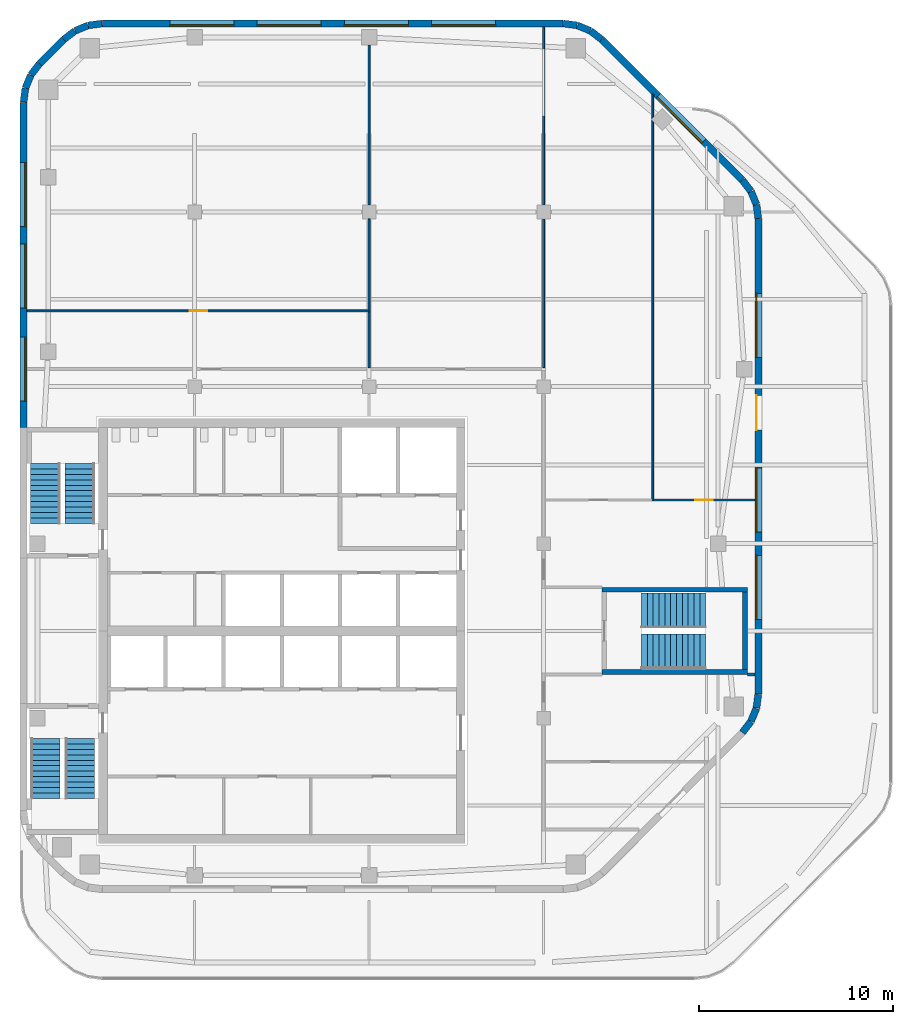
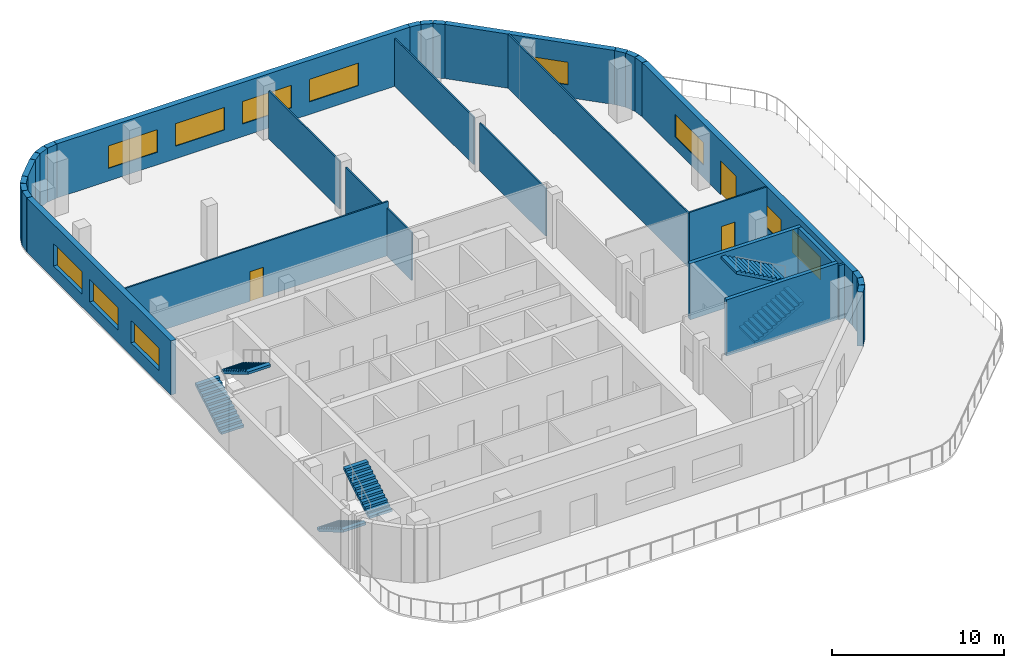
# One storey, part 5 of 7: 32 walls, 11 windows, 6 stair flights, 3 doors, 14 openings, 3 elements without a shape of their own.
"""IFC4 building model written with IfcOpenShell, lengths in metres."""

from ifc_helpers import new_model, si_unit, direction, frame, frame_2d, origin, place, context, subcontext, project, spatial, polyline, rectangle, outline, extrude, material, layer, layer_set, type_object, element, fill, aggregate, save


model = new_model("IFC4")

# Units and contexts
model_context = context("Model", 3, precision=1e-05, world=origin(), true_north=direction((0.0, 1.0)))
body_context = subcontext(model_context, "Body", "Model", "MODEL_VIEW")
ifc_project = project(units=[si_unit("LENGTHUNIT", "METRE"), si_unit("AREAUNIT", "SQUARE_METRE"), si_unit("VOLUMEUNIT", "CUBIC_METRE"), si_unit("PLANEANGLEUNIT", "RADIAN"), si_unit("MASSUNIT", "GRAM", prefix="KILO")], contexts=[model_context])

# Site, building, storey
site_placement = place(None, origin())
site = spatial("IfcSite", under=ifc_project, at=site_placement, CompositionType="ELEMENT")
building_placement = place(site_placement, origin())
building = spatial("IfcBuilding", under=site, at=building_placement, Name="Cinnabar Reach Civic Tower", CompositionType="ELEMENT")
storey_placement = place(building_placement, frame((0.0, 0.0, 247.0)))
storey = spatial("IfcBuildingStorey", under=building, at=storey_placement, Name="L59", CompositionType="ELEMENT", Elevation=247.0)

# Walls
ifc_material_1 = material(Name="Facing brick with insulated backing", Category="masonry")
ifc_layer_1 = layer(ifc_material_1, 0.36)
ifc_layer_set_1 = layer_set([ifc_layer_1], Name="Brick corner wall")
wall_type_1 = type_object("IfcWallType", Name="Brick corner wall", PredefinedType="STANDARD", material=ifc_layer_set_1)
wall_1_placement = place(storey_placement, frame((37.2498, 26.2587, 0.0), z_axis=(0.0, 0.0, 1.0), x_axis=(0.608802368033, 0.793321924995, 0.0)))
element("IfcWall", 1, at=wall_1_placement, inside=storey, type_object=wall_type_1, Name="Brick corner wall", PredefinedType="STANDARD", context=body_context, shape_type="SweptSolid", body=[
    extrude(rectangle(XDim=0.7132, YDim=0.36, at=frame_2d((0.3566, 0.0))), origin(), (0.0, 0.0, 1.0), 3.85),
])
for number, where, z_axis, x_axis, name in (
    (2, (37.6952, 26.8439, 0.0), (0.0, 0.0, 1.0), (0.382702709855, 0.923871547278, 0.0), "Brick corner wall"),
    (3, (37.9739, 27.5244, 0.0), (0.0, 0.0, 1.0), (0.13055608231, 0.99144092581, 0.0), "Brick corner wall"),
    (4, (38.067, 52.7686, 0.0), (0.0, 0.0, 1.0), (-0.13055608231, 0.99144092581, 0.0), "Brick corner wall"),
    (5, (37.9681, 53.4973, 0.0), (0.0, 0.0, 1.0), (-0.382702709855, 0.923871547278, 0.0), "Brick corner wall"),
):
    element("IfcWall", number, at=place(storey_placement, frame(where, z_axis=z_axis, x_axis=x_axis)), inside=storey, type_object=wall_type_1, Name=name, PredefinedType="STANDARD", context=body_context, shape_type="SweptSolid", body=[
        extrude(rectangle(XDim=0.7131, YDim=0.36, at=frame_2d((0.3565, 0.0))), origin(), (0.0, 0.0, 1.0), 3.85),
    ])
for number, where, z_axis, x_axis, name in (
    (6, (37.684, 54.1755, 0.0), (0.0, 0.0, 1.0), (-0.608802368033, 0.793321924995, 0.0), "Brick corner wall"),
    (7, (29.9913, 61.9998, 0.0), (0.0, 0.0, 1.0), (-0.793321924995, 0.608802368033, 0.0), "Brick corner wall"),
):
    element("IfcWall", number, at=place(storey_placement, frame(where, z_axis=z_axis, x_axis=x_axis)), inside=storey, type_object=wall_type_1, Name=name, PredefinedType="STANDARD", context=body_context, shape_type="SweptSolid", body=[
        extrude(rectangle(XDim=0.7132, YDim=0.36, at=frame_2d((0.3566, 0.0))), origin(), (0.0, 0.0, 1.0), 3.85),
    ])
for number, where, z_axis, x_axis, name in (
    (8, (29.4061, 62.4452, 0.0), (0.0, 0.0, 1.0), (-0.923871547278, 0.382702709855, 0.0), "Brick corner wall"),
    (9, (28.7256, 62.7239, 0.0), (0.0, 0.0, 1.0), (-0.99144092581, 0.13055608231, 0.0), "Brick corner wall"),
    (10, (4.2314, 62.817, 0.0), (0.0, 0.0, 1.0), (-0.99144092581, -0.13055608231, 0.0), "Brick corner wall"),
    (11, (3.5027, 62.7181, 0.0), (0.0, 0.0, 1.0), (-0.923871547278, -0.382702709855, 0.0), "Brick corner wall"),
):
    element("IfcWall", number, at=place(storey_placement, frame(where, z_axis=z_axis, x_axis=x_axis)), inside=storey, type_object=wall_type_1, Name=name, PredefinedType="STANDARD", context=body_context, shape_type="SweptSolid", body=[
        extrude(rectangle(XDim=0.7131, YDim=0.36, at=frame_2d((0.3565, 0.0))), origin(), (0.0, 0.0, 1.0), 3.85),
    ])
for number, where, z_axis, x_axis, name in (
    (12, (2.8245, 62.434, 0.0), (0.0, 0.0, 1.0), (-0.793321924995, -0.608802368033, 0.0), "Brick corner wall"),
    (13, (1.0002, 60.7413, 0.0), (0.0, 0.0, 1.0), (-0.608802368033, -0.793321924995, 0.0), "Brick corner wall"),
):
    element("IfcWall", number, at=place(storey_placement, frame(where, z_axis=z_axis, x_axis=x_axis)), inside=storey, type_object=wall_type_1, Name=name, PredefinedType="STANDARD", context=body_context, shape_type="SweptSolid", body=[
        extrude(rectangle(XDim=0.7132, YDim=0.36, at=frame_2d((0.3566, 0.0))), origin(), (0.0, 0.0, 1.0), 3.85),
    ])
for number, where, z_axis, x_axis, name in (
    (14, (0.5548, 60.1561, 0.0), (0.0, 0.0, 1.0), (-0.382702709855, -0.923871547278, 0.0), "Brick corner wall"),
    (15, (0.2761, 59.4756, 0.0), (0.0, 0.0, 1.0), (-0.13055608231, -0.99144092581, 0.0), "Brick corner wall"),
):
    element("IfcWall", number, at=place(storey_placement, frame(where, z_axis=z_axis, x_axis=x_axis)), inside=storey, type_object=wall_type_1, Name=name, PredefinedType="STANDARD", context=body_context, shape_type="SweptSolid", body=[
        extrude(rectangle(XDim=0.7131, YDim=0.36, at=frame_2d((0.3565, 0.0))), origin(), (0.0, 0.0, 1.0), 3.85),
    ])

# Wall, openings, windows, door
ifc_layer_2 = layer(ifc_material_1, 0.36)
ifc_layer_set_2 = layer_set([ifc_layer_2], Name="Brick pier and spandrel wall")
wall_type_2 = type_object("IfcWallType", Name="Brick pier and spandrel wall", PredefinedType="STANDARD", material=ifc_layer_set_2)
wall_2_placement = place(storey_placement, frame((38.07, 28.2426, 0.0), z_axis=(0.0, 0.0, 1.0), x_axis=(0.0, 1.0, 0.0)))
wall_2 = element("IfcWall", 16, at=wall_2_placement, inside=storey, type_object=wall_type_2, Name="Brick facade wall", PredefinedType="STANDARD", context=body_context, shape_type="SweptSolid", body=[
    extrude(rectangle(XDim=24.5148, YDim=0.36, at=frame_2d((12.2574, 0.0))), origin(), (0.0, 0.0, 1.0), 3.85),
])
opening_1_placement = place(wall_2_placement, frame((3.8574, 0.0, 0.9)))
opening_1 = element("IfcOpeningElement", 17, at=opening_1_placement, cuts=wall_2, Name="Opening W2183", PredefinedType="OPENING", context=body_context, shape_type="SweptSolid", body=[
    extrude(rectangle(XDim=3.3, YDim=1.6, at=frame_2d((1.65, 0.8))), frame((0.0, 0.19, 0.0), z_axis=(0.0, -1.0, 0.0), x_axis=(1.0, 0.0, 0.0)), (0.0, 0.0, 1.0), 0.38),
])
opening_2_placement = place(wall_2_placement, frame((8.3574, 0.0, 0.9)))
opening_2 = element("IfcOpeningElement", 18, at=opening_2_placement, cuts=wall_2, Name="Opening W2184", PredefinedType="OPENING", context=body_context, shape_type="SweptSolid", body=[
    extrude(rectangle(XDim=3.3, YDim=1.6, at=frame_2d((1.65, 0.8))), frame((0.0, 0.19, 0.0), z_axis=(0.0, -1.0, 0.0), x_axis=(1.0, 0.0, 0.0)), (0.0, 0.0, 1.0), 0.38),
])
opening_3_placement = place(wall_2_placement, frame((13.6074, 0.0, 0.0)))
opening_3 = element("IfcOpeningElement", 19, at=opening_3_placement, cuts=wall_2, Name="Opening D7513", PredefinedType="OPENING", context=body_context, shape_type="SweptSolid", body=[
    extrude(rectangle(XDim=1.8, YDim=2.4, at=frame_2d((0.9, 1.2))), frame((0.0, 0.19, 0.0), z_axis=(0.0, -1.0, 0.0), x_axis=(1.0, 0.0, 0.0)), (0.0, 0.0, 1.0), 0.38),
])
opening_4_placement = place(wall_2_placement, frame((17.3574, 0.0, 0.9)))
opening_4 = element("IfcOpeningElement", 20, at=opening_4_placement, cuts=wall_2, Name="Opening W2185", PredefinedType="OPENING", context=body_context, shape_type="SweptSolid", body=[
    extrude(rectangle(XDim=3.3, YDim=1.6, at=frame_2d((1.65, 0.8))), frame((0.0, 0.19, 0.0), z_axis=(0.0, -1.0, 0.0), x_axis=(1.0, 0.0, 0.0)), (0.0, 0.0, 1.0), 0.38),
])
ifc_material_2 = material(Name="Clear double glazing in aluminium frame", Category="aluminium")
window_type = type_object("IfcWindowType", Name="Deep-set window A", PartitioningType="SINGLE_PANEL", PredefinedType="WINDOW", material=ifc_material_2)
window_1_placement = place(opening_1_placement, origin())
window_1 = element("IfcWindow", 21, at=window_1_placement, inside=storey, type_object=window_type, Name="Window east face", OverallHeight=1.6, OverallWidth=3.3, PartitioningType="SINGLE_PANEL", PredefinedType="WINDOW", context=body_context, shape_type="SweptSolid", body=[
    extrude(rectangle(XDim=3.3, YDim=1.6, at=frame_2d((1.65, 0.8))), frame((0.0, 0.13, 0.0), z_axis=(0.0, -1.0, 0.0), x_axis=(1.0, 0.0, 0.0)), (0.0, 0.0, 1.0), 0.06),
])
fill(opening_1, window_1)
window_2_placement = place(opening_2_placement, origin())
window_2 = element("IfcWindow", 22, at=window_2_placement, inside=storey, type_object=window_type, Name="Window east face", OverallHeight=1.6, OverallWidth=3.3, PartitioningType="SINGLE_PANEL", PredefinedType="WINDOW", context=body_context, shape_type="SweptSolid", body=[
    extrude(rectangle(XDim=3.3, YDim=1.6, at=frame_2d((1.65, 0.8))), frame((0.0, 0.13, 0.0), z_axis=(0.0, -1.0, 0.0), x_axis=(1.0, 0.0, 0.0)), (0.0, 0.0, 1.0), 0.06),
])
fill(opening_2, window_2)
window_3_placement = place(opening_4_placement, origin())
window_3 = element("IfcWindow", 23, at=window_3_placement, inside=storey, type_object=window_type, Name="Window east face", OverallHeight=1.6, OverallWidth=3.3, PartitioningType="SINGLE_PANEL", PredefinedType="WINDOW", context=body_context, shape_type="SweptSolid", body=[
    extrude(rectangle(XDim=3.3, YDim=1.6, at=frame_2d((1.65, 0.8))), frame((0.0, 0.13, 0.0), z_axis=(0.0, -1.0, 0.0), x_axis=(1.0, 0.0, 0.0)), (0.0, 0.0, 1.0), 0.06),
])
fill(opening_4, window_3)
ifc_material_3 = material(Name="Clear glazing in aluminium frame", Category="aluminium")
door_type_1 = type_object("IfcDoorType", Name="Facade terrace double door", OperationType="SINGLE_SWING_LEFT", PredefinedType="DOOR", material=ifc_material_3)
door_1_placement = place(opening_3_placement, frame((1.8, 0.0, 0.0), z_axis=(0.0, 0.0, 1.0), x_axis=(-1.0, 0.0, 0.0)))
door_1 = element("IfcDoor", 24, at=door_1_placement, inside=storey, type_object=door_type_1, Name="Terrace door", OperationType="DOUBLE_DOOR_SINGLE_SWING", OverallHeight=2.4, OverallWidth=1.8, PredefinedType="DOOR", context=body_context, shape_type="SweptSolid", body=[
    extrude(rectangle(XDim=1.8, YDim=2.4, at=frame_2d((0.9, 1.2))), frame((0.0, -0.07, 0.0), z_axis=(0.0, -1.0, 0.0), x_axis=(1.0, 0.0, 0.0)), (0.0, 0.0, 1.0), 0.05),
])
fill(opening_3, door_1)

# Wall, opening, window
wall_3_placement = place(storey_placement, frame((37.244, 54.7514, 0.0), z_axis=(0.0, 0.0, 1.0), x_axis=(-0.707106781187, 0.707106781187, 0.0)))
wall_3 = element("IfcWall", 25, at=wall_3_placement, inside=storey, type_object=wall_type_2, Name="Brick facade wall", PredefinedType="STANDARD", context=body_context, shape_type="SweptSolid", body=[
    extrude(rectangle(XDim=10.2426, YDim=0.36, at=frame_2d((5.1213, 0.0))), origin(), (0.0, 0.0, 1.0), 3.85),
])
opening_5_placement = place(wall_3_placement, frame((2.8213, 0.0, 0.9)))
opening_5 = element("IfcOpeningElement", 26, at=opening_5_placement, cuts=wall_3, Name="Opening W2186", PredefinedType="OPENING", context=body_context, shape_type="SweptSolid", body=[
    extrude(rectangle(XDim=3.3, YDim=1.6, at=frame_2d((1.65, 0.8))), frame((0.0, 0.19, 0.0), z_axis=(0.0, -1.0, 0.0), x_axis=(1.0, 0.0, 0.0)), (0.0, 0.0, 1.0), 0.38),
])
window_4_placement = place(opening_5_placement, origin())
window_4 = element("IfcWindow", 27, at=window_4_placement, inside=storey, type_object=window_type, Name="Window northeast face", OverallHeight=1.6, OverallWidth=3.3, PartitioningType="SINGLE_PANEL", PredefinedType="WINDOW", context=body_context, shape_type="SweptSolid", body=[
    extrude(rectangle(XDim=3.3, YDim=1.6, at=frame_2d((1.65, 0.8))), frame((0.0, 0.13, 0.0), z_axis=(0.0, -1.0, 0.0), x_axis=(1.0, 0.0, 0.0)), (0.0, 0.0, 1.0), 0.06),
])
fill(opening_5, window_4)

# Wall, openings, windows
wall_4_placement = place(storey_placement, frame((28.0074, 62.82, 0.0), z_axis=(0.0, 0.0, 1.0), x_axis=(-1.0, 0.0, 0.0)))
wall_4 = element("IfcWall", 28, at=wall_4_placement, inside=storey, type_object=wall_type_2, Name="Brick facade wall", PredefinedType="STANDARD", context=body_context, shape_type="SweptSolid", body=[
    extrude(rectangle(XDim=23.7648, YDim=0.36, at=frame_2d((11.8824, 0.0))), origin(), (0.0, 0.0, 1.0), 3.85),
])
opening_6_placement = place(wall_4_placement, frame((3.4824, 0.0, 0.9)))
opening_6 = element("IfcOpeningElement", 29, at=opening_6_placement, cuts=wall_4, Name="Opening W2187", PredefinedType="OPENING", context=body_context, shape_type="SweptSolid", body=[
    extrude(rectangle(XDim=3.3, YDim=1.6, at=frame_2d((1.65, 0.8))), frame((0.0, 0.19, 0.0), z_axis=(0.0, -1.0, 0.0), x_axis=(1.0, 0.0, 0.0)), (0.0, 0.0, 1.0), 0.38),
])
opening_7_placement = place(wall_4_placement, frame((7.9824, 0.0, 0.9)))
opening_7 = element("IfcOpeningElement", 30, at=opening_7_placement, cuts=wall_4, Name="Opening W2188", PredefinedType="OPENING", context=body_context, shape_type="SweptSolid", body=[
    extrude(rectangle(XDim=3.3, YDim=1.6, at=frame_2d((1.65, 0.8))), frame((0.0, 0.19, 0.0), z_axis=(0.0, -1.0, 0.0), x_axis=(1.0, 0.0, 0.0)), (0.0, 0.0, 1.0), 0.38),
])
opening_8_placement = place(wall_4_placement, frame((12.4824, 0.0, 0.9)))
opening_8 = element("IfcOpeningElement", 31, at=opening_8_placement, cuts=wall_4, Name="Opening W2189", PredefinedType="OPENING", context=body_context, shape_type="SweptSolid", body=[
    extrude(rectangle(XDim=3.3, YDim=1.6, at=frame_2d((1.65, 0.8))), frame((0.0, 0.19, 0.0), z_axis=(0.0, -1.0, 0.0), x_axis=(1.0, 0.0, 0.0)), (0.0, 0.0, 1.0), 0.38),
])
opening_9_placement = place(wall_4_placement, frame((16.9824, 0.0, 0.9)))
opening_9 = element("IfcOpeningElement", 32, at=opening_9_placement, cuts=wall_4, Name="Opening W2190", PredefinedType="OPENING", context=body_context, shape_type="SweptSolid", body=[
    extrude(rectangle(XDim=3.3, YDim=1.6, at=frame_2d((1.65, 0.8))), frame((0.0, 0.19, 0.0), z_axis=(0.0, -1.0, 0.0), x_axis=(1.0, 0.0, 0.0)), (0.0, 0.0, 1.0), 0.38),
])
window_5_placement = place(opening_6_placement, origin())
window_5 = element("IfcWindow", 33, at=window_5_placement, inside=storey, type_object=window_type, Name="Window north face", OverallHeight=1.6, OverallWidth=3.3, PartitioningType="SINGLE_PANEL", PredefinedType="WINDOW", context=body_context, shape_type="SweptSolid", body=[
    extrude(rectangle(XDim=3.3, YDim=1.6, at=frame_2d((1.65, 0.8))), frame((0.0, 0.13, 0.0), z_axis=(0.0, -1.0, 0.0), x_axis=(1.0, 0.0, 0.0)), (0.0, 0.0, 1.0), 0.06),
])
fill(opening_6, window_5)
window_6_placement = place(opening_7_placement, origin())
window_6 = element("IfcWindow", 34, at=window_6_placement, inside=storey, type_object=window_type, Name="Window north face", OverallHeight=1.6, OverallWidth=3.3, PartitioningType="SINGLE_PANEL", PredefinedType="WINDOW", context=body_context, shape_type="SweptSolid", body=[
    extrude(rectangle(XDim=3.3, YDim=1.6, at=frame_2d((1.65, 0.8))), frame((0.0, 0.13, 0.0), z_axis=(0.0, -1.0, 0.0), x_axis=(1.0, 0.0, 0.0)), (0.0, 0.0, 1.0), 0.06),
])
fill(opening_7, window_6)
window_7_placement = place(opening_8_placement, origin())
window_7 = element("IfcWindow", 35, at=window_7_placement, inside=storey, type_object=window_type, Name="Window north face", OverallHeight=1.6, OverallWidth=3.3, PartitioningType="SINGLE_PANEL", PredefinedType="WINDOW", context=body_context, shape_type="SweptSolid", body=[
    extrude(rectangle(XDim=3.3, YDim=1.6, at=frame_2d((1.65, 0.8))), frame((0.0, 0.13, 0.0), z_axis=(0.0, -1.0, 0.0), x_axis=(1.0, 0.0, 0.0)), (0.0, 0.0, 1.0), 0.06),
])
fill(opening_8, window_7)
window_8_placement = place(opening_9_placement, origin())
window_8 = element("IfcWindow", 36, at=window_8_placement, inside=storey, type_object=window_type, Name="Window north face", OverallHeight=1.6, OverallWidth=3.3, PartitioningType="SINGLE_PANEL", PredefinedType="WINDOW", context=body_context, shape_type="SweptSolid", body=[
    extrude(rectangle(XDim=3.3, YDim=1.6, at=frame_2d((1.65, 0.8))), frame((0.0, 0.13, 0.0), z_axis=(0.0, -1.0, 0.0), x_axis=(1.0, 0.0, 0.0)), (0.0, 0.0, 1.0), 0.06),
])
fill(opening_9, window_8)

# Wall
wall_5_placement = place(storey_placement, frame((2.2486, 61.994, 0.0), z_axis=(0.0, 0.0, 1.0), x_axis=(-0.707106781187, -0.707106781187, 0.0)))
element("IfcWall", 37, at=wall_5_placement, inside=storey, type_object=wall_type_2, Name="Brick facade wall", PredefinedType="STANDARD", context=body_context, shape_type="SweptSolid", body=[
    extrude(rectangle(XDim=1.7573, YDim=0.36, at=frame_2d((0.8787, 0.0))), origin(), (0.0, 0.0, 1.0), 3.85),
])

# Wall, openings, windows
wall_6_placement = place(storey_placement, frame((0.18, 58.7574, 0.0), z_axis=(0.0, 0.0, 1.0), x_axis=(0.0, -1.0, 0.0)))
wall_6 = element("IfcWall", 38, at=wall_6_placement, inside=storey, type_object=wall_type_2, Name="Brick facade wall", PredefinedType="STANDARD", context=body_context, shape_type="SweptSolid", body=[
    extrude(rectangle(XDim=16.7574, YDim=0.36, at=frame_2d((8.3787, 0.0))), origin(), (0.0, 0.0, 1.0), 3.85),
])
opening_10_placement = place(wall_6_placement, frame((3.1074, 0.0, 0.9)))
opening_10 = element("IfcOpeningElement", 39, at=opening_10_placement, cuts=wall_6, Name="Opening W2191", PredefinedType="OPENING", context=body_context, shape_type="SweptSolid", body=[
    extrude(rectangle(XDim=3.3, YDim=1.6, at=frame_2d((1.65, 0.8))), frame((0.0, 0.19, 0.0), z_axis=(0.0, -1.0, 0.0), x_axis=(1.0, 0.0, 0.0)), (0.0, 0.0, 1.0), 0.38),
])
opening_11_placement = place(wall_6_placement, frame((7.3074, 0.0, 0.9)))
opening_11 = element("IfcOpeningElement", 40, at=opening_11_placement, cuts=wall_6, Name="Opening W2192", PredefinedType="OPENING", context=body_context, shape_type="SweptSolid", body=[
    extrude(rectangle(XDim=3.3, YDim=1.6, at=frame_2d((1.65, 0.8))), frame((0.0, 0.19, 0.0), z_axis=(0.0, -1.0, 0.0), x_axis=(1.0, 0.0, 0.0)), (0.0, 0.0, 1.0), 0.38),
])
opening_12_placement = place(wall_6_placement, frame((12.1074, 0.0, 0.9)))
opening_12 = element("IfcOpeningElement", 41, at=opening_12_placement, cuts=wall_6, Name="Opening W2193", PredefinedType="OPENING", context=body_context, shape_type="SweptSolid", body=[
    extrude(rectangle(XDim=3.3, YDim=1.6, at=frame_2d((1.65, 0.8))), frame((0.0, 0.19, 0.0), z_axis=(0.0, -1.0, 0.0), x_axis=(1.0, 0.0, 0.0)), (0.0, 0.0, 1.0), 0.38),
])
window_9_placement = place(opening_10_placement, origin())
window_9 = element("IfcWindow", 42, at=window_9_placement, inside=storey, type_object=window_type, Name="Window west face", OverallHeight=1.6, OverallWidth=3.3, PartitioningType="SINGLE_PANEL", PredefinedType="WINDOW", context=body_context, shape_type="SweptSolid", body=[
    extrude(rectangle(XDim=3.3, YDim=1.6, at=frame_2d((1.65, 0.8))), frame((0.0, 0.13, 0.0), z_axis=(0.0, -1.0, 0.0), x_axis=(1.0, 0.0, 0.0)), (0.0, 0.0, 1.0), 0.06),
])
fill(opening_10, window_9)
window_10_placement = place(opening_11_placement, origin())
window_10 = element("IfcWindow", 43, at=window_10_placement, inside=storey, type_object=window_type, Name="Window west face", OverallHeight=1.6, OverallWidth=3.3, PartitioningType="SINGLE_PANEL", PredefinedType="WINDOW", context=body_context, shape_type="SweptSolid", body=[
    extrude(rectangle(XDim=3.3, YDim=1.6, at=frame_2d((1.65, 0.8))), frame((0.0, 0.13, 0.0), z_axis=(0.0, -1.0, 0.0), x_axis=(1.0, 0.0, 0.0)), (0.0, 0.0, 1.0), 0.06),
])
fill(opening_11, window_10)
window_11_placement = place(opening_12_placement, origin())
window_11 = element("IfcWindow", 44, at=window_11_placement, inside=storey, type_object=window_type, Name="Window west face", OverallHeight=1.6, OverallWidth=3.3, PartitioningType="SINGLE_PANEL", PredefinedType="WINDOW", context=body_context, shape_type="SweptSolid", body=[
    extrude(rectangle(XDim=3.3, YDim=1.6, at=frame_2d((1.65, 0.8))), frame((0.0, 0.13, 0.0), z_axis=(0.0, -1.0, 0.0), x_axis=(1.0, 0.0, 0.0)), (0.0, 0.0, 1.0), 0.06),
])
fill(opening_12, window_11)

# Wall
ifc_material_4 = material(Name="Gypsum board on steel studs", Category="steel")
ifc_layer_3 = layer(ifc_material_4, 0.1)
ifc_layer_set_3 = layer_set([ifc_layer_3], Name="Partition wall 100 T1")
wall_type_3 = type_object("IfcWallType", Name="Partition wall 100 T1", PredefinedType="PARTITIONING", material=ifc_layer_set_3)
wall_7_placement = place(storey_placement, frame((32.625, 38.2, 0.0), z_axis=(0.0, 0.0, 1.0), x_axis=(0.0, 1.0, 0.0)))
element("IfcWall", 45, at=wall_7_placement, inside=storey, type_object=wall_type_3, Name="Partition wall 35", PredefinedType="PARTITIONING", context=body_context, shape_type="SweptSolid", body=[
    extrude(rectangle(XDim=20.9659, YDim=0.1, at=frame_2d((10.483, 0.0))), origin(), (0.0, 0.0, 1.0), 3.85),
])

# Wall, opening, door
wall_8_placement = place(storey_placement, frame((0.36, 48.0, 0.0), z_axis=(0.0, 0.0, 1.0), x_axis=(1.0, 0.0, 0.0)))
wall_8 = element("IfcWall", 46, at=wall_8_placement, inside=storey, type_object=wall_type_3, Name="Partition wall 36", PredefinedType="PARTITIONING", context=body_context, shape_type="SweptSolid", body=[
    extrude(rectangle(XDim=17.69, YDim=0.1, at=frame_2d((8.845, 0.0))), origin(), (0.0, 0.0, 1.0), 3.85),
])
opening_13_placement = place(wall_8_placement, frame((8.4, 0.0, 0.0)))
opening_13 = element("IfcOpeningElement", 47, at=opening_13_placement, cuts=wall_8, Name="Opening D5405", PredefinedType="OPENING", context=body_context, shape_type="SweptSolid", body=[
    extrude(rectangle(XDim=0.9, YDim=2.1, at=frame_2d((0.45, 1.05))), frame((0.0, 0.06, 0.0), z_axis=(0.0, -1.0, 0.0), x_axis=(1.0, 0.0, 0.0)), (0.0, 0.0, 1.0), 0.12),
])
ifc_material_5 = material(Name="Timber door leaf in steel frame", Category="steel")
door_type_2 = type_object("IfcDoorType", Name="Single swing door 900 x 2100 T1", OperationType="SINGLE_SWING_LEFT", PredefinedType="DOOR", material=ifc_material_5)
door_2_placement = place(opening_13_placement, frame((0.9, 0.0, 0.0), z_axis=(0.0, 0.0, 1.0), x_axis=(-1.0, 0.0, 0.0)))
door_2 = element("IfcDoor", 48, at=door_2_placement, inside=storey, type_object=door_type_2, Name="Door D5405", OperationType="SINGLE_SWING_LEFT", OverallHeight=2.1, OverallWidth=0.9, PredefinedType="DOOR", context=body_context, shape_type="SweptSolid", body=[
    extrude(rectangle(XDim=0.9, YDim=2.1, at=frame_2d((0.45, 1.05))), frame((0.0, 0.025, 0.0), z_axis=(0.0, -1.0, 0.0), x_axis=(1.0, 0.0, 0.0)), (0.0, 0.0, 1.0), 0.05),
])
fill(opening_13, door_2)

# Walls
wall_9_placement = place(storey_placement, frame((18.0, 45.075, 0.0), z_axis=(0.0, 0.0, 1.0), x_axis=(0.0, 1.0, 0.0)))
element("IfcWall", 49, at=wall_9_placement, inside=storey, type_object=wall_type_3, Name="Partition wall 37", PredefinedType="PARTITIONING", context=body_context, shape_type="SweptSolid", body=[
    extrude(rectangle(XDim=2.875, YDim=0.1, at=frame_2d((1.4375, 0.0))), origin(), (0.0, 0.0, 1.0), 3.4),
])
wall_10_placement = place(storey_placement, frame((18.0, 48.05, 0.0), z_axis=(0.0, 0.0, 1.0), x_axis=(0.0, 1.0, 0.0)))
element("IfcWall", 50, at=wall_10_placement, inside=storey, type_object=wall_type_3, Name="Partition wall 38", PredefinedType="PARTITIONING", context=body_context, shape_type="SweptSolid", body=[
    extrude(rectangle(XDim=4.7, YDim=0.1, at=frame_2d((2.35, 0.0))), origin(), (0.0, 0.0, 1.0), 3.4),
])
wall_11_placement = place(storey_placement, frame((18.0, 53.45, 0.0), z_axis=(0.0, 0.0, 1.0), x_axis=(0.0, 1.0, 0.0)))
element("IfcWall", 51, at=wall_11_placement, inside=storey, type_object=wall_type_3, Name="Partition wall 39", PredefinedType="PARTITIONING", context=body_context, shape_type="SweptSolid", body=[
    extrude(rectangle(XDim=8.25, YDim=0.1, at=frame_2d((4.125, 0.0))), origin(), (0.0, 0.0, 1.0), 3.4),
])
wall_12_placement = place(storey_placement, frame((27.0, 45.075, 0.0), z_axis=(0.0, 0.0, 1.0), x_axis=(0.0, 1.0, 0.0)))
element("IfcWall", 52, at=wall_12_placement, inside=storey, type_object=wall_type_3, Name="Partition wall 40", PredefinedType="PARTITIONING", context=body_context, shape_type="SweptSolid", body=[
    extrude(rectangle(XDim=7.675, YDim=0.1, at=frame_2d((3.8375, 0.0))), origin(), (0.0, 0.0, 1.0), 3.4),
])
wall_13_placement = place(storey_placement, frame((27.0, 53.45, 0.0), z_axis=(0.0, 0.0, 1.0), x_axis=(0.0, 1.0, 0.0)))
element("IfcWall", 53, at=wall_13_placement, inside=storey, type_object=wall_type_3, Name="Partition wall 41", PredefinedType="PARTITIONING", context=body_context, shape_type="SweptSolid", body=[
    extrude(rectangle(XDim=9.19, YDim=0.1, at=frame_2d((4.595, 0.0))), origin(), (0.0, 0.0, 1.0), 3.4),
])

# Wall, opening, door
wall_14_placement = place(storey_placement, frame((32.675, 38.25, 0.0), z_axis=(0.0, 0.0, 1.0), x_axis=(1.0, 0.0, 0.0)))
wall_14 = element("IfcWall", 54, at=wall_14_placement, inside=storey, type_object=wall_type_3, Name="Partition wall 43", PredefinedType="PARTITIONING", context=body_context, shape_type="SweptSolid", body=[
    extrude(rectangle(XDim=5.215, YDim=0.1, at=frame_2d((2.6075, 0.0))), origin(), (0.0, 0.0, 1.0), 3.85),
])
opening_14_placement = place(wall_14_placement, frame((2.15, 0.0, 0.0)))
opening_14 = element("IfcOpeningElement", 55, at=opening_14_placement, cuts=wall_14, Name="Opening D5401", PredefinedType="OPENING", context=body_context, shape_type="SweptSolid", body=[
    extrude(rectangle(XDim=0.9, YDim=2.1, at=frame_2d((0.45, 1.05))), frame((0.0, 0.06, 0.0), z_axis=(0.0, -1.0, 0.0), x_axis=(1.0, 0.0, 0.0)), (0.0, 0.0, 1.0), 0.12),
])
door_3_placement = place(opening_14_placement, frame((0.9, 0.0, 0.0), z_axis=(0.0, 0.0, 1.0), x_axis=(-1.0, 0.0, 0.0)))
door_3 = element("IfcDoor", 56, at=door_3_placement, inside=storey, type_object=door_type_2, Name="Door D5401", OperationType="SINGLE_SWING_RIGHT", OverallHeight=2.1, OverallWidth=0.9, PredefinedType="DOOR", context=body_context, shape_type="SweptSolid", body=[
    extrude(rectangle(XDim=0.9, YDim=2.1, at=frame_2d((0.45, 1.05))), frame((0.0, 0.025, 0.0), z_axis=(0.0, -1.0, 0.0), x_axis=(1.0, 0.0, 0.0)), (0.0, 0.0, 1.0), 0.05),
])
fill(opening_14, door_3)

# Walls
ifc_material_6 = material(Name="Concrete C60", Category="concrete")
ifc_layer_4 = layer(ifc_material_6, 0.25)
ifc_layer_set_4 = layer_set([ifc_layer_4], Name="Stair shaft wall 250 EI 120")
wall_type_4 = type_object("IfcWallType", Name="Stair shaft wall 250 EI 120", PredefinedType="SOLIDWALL", material=ifc_layer_set_4)
for number, where, z_axis, x_axis, name in (
    (57, (30.0, 29.375, 0.0), (0.0, 0.0, 1.0), (1.0, 0.0, 0.0), "Stair shaft wall T1-S3 L59"),
    (58, (37.5, 33.625, 0.0), (0.0, 0.0, 1.0), (-1.0, 0.0, 0.0), "Stair shaft wall T1-S3 L59"),
):
    element("IfcWall", number, at=place(storey_placement, frame(where, z_axis=z_axis, x_axis=x_axis)), inside=storey, type_object=wall_type_4, Name=name, PredefinedType="SOLIDWALL", context=body_context, shape_type="SweptSolid", body=[
        extrude(rectangle(XDim=7.5, YDim=0.25, at=frame_2d((3.75, 0.0))), origin(), (0.0, 0.0, 1.0), 4.0),
    ])
wall_15_placement = place(storey_placement, frame((37.375, 29.5, 0.0), z_axis=(0.0, 0.0, 1.0), x_axis=(0.0, 1.0, 0.0)))
element("IfcWall", 59, at=wall_15_placement, inside=storey, type_object=wall_type_4, Name="Stair shaft wall T1-S3 L59", PredefinedType="SOLIDWALL", context=body_context, shape_type="SweptSolid", body=[
    extrude(rectangle(XDim=4.0, YDim=0.25, at=frame_2d((2.0, 0.0))), origin(), (0.0, 0.0, 1.0), 4.0),
])
ifc_material_7 = material(Name="Gypsum board on steel studs, double layer", Category="steel")
ifc_layer_5 = layer(ifc_material_7, 0.15)
ifc_layer_set_5 = layer_set([ifc_layer_5], Name="Tenancy separating wall 150 T1")
wall_type_5 = type_object("IfcWallType", Name="Tenancy separating wall 150 T1", PredefinedType="PARTITIONING", material=ifc_layer_set_5)
wall_16_placement = place(storey_placement, frame((37.5, 29.25, 0.0), z_axis=(0.0, 0.0, 1.0), x_axis=(1.0, 0.0, 0.0)))
element("IfcWall", 60, at=wall_16_placement, inside=storey, type_object=wall_type_5, Name="Tenancy separating wall 34", PredefinedType="PARTITIONING", context=body_context, shape_type="SweptSolid", body=[
    extrude(rectangle(XDim=0.39, YDim=0.15, at=frame_2d((0.195, 0.0))), origin(), (0.0, 0.0, 1.0), 3.85),
])

# Stair, stair flights
ifc_material_8 = material(Name="Concrete C40/50", Category="concrete")
stair_type = type_object("IfcStairType", Name="T1 Exit stair, half-turn", PredefinedType="HALF_TURN_STAIR", material=ifc_material_8)
stair_1_placement = place(storey_placement, origin())
stair_1 = element("IfcStair", 61, at=stair_1_placement, inside=storey, type_object=stair_type, Name="Stair T1-S1", PredefinedType="HALF_TURN_STAIR")
stair_flight_type = type_object("IfcStairFlightType", Name="T1 Stair flight, concrete", PredefinedType="STRAIGHT", material=ifc_material_8)
stair_flight_1_placement = place(storey_placement, frame((1.3125, 25.95, 0.0), z_axis=(0.0, 0.0, 1.0), x_axis=(0.0, -1.0, 0.0)))
stair_flight_1 = element("IfcStairFlight", 62, at=stair_flight_1_placement, type_object=stair_flight_type, Name="T1-S1 flight 1", NumberOfRisers=12, NumberOfTreads=11, PredefinedType="STRAIGHT", RiserHeight=0.166666667, TreadLength=0.28, context=body_context, shape_type="SweptSolid", body=[
    extrude(outline(polyline([(0.0, 0.0), (0.0, 0.1667), (0.28, 0.1667), (0.28, 0.3333), (0.56, 0.3333), (0.56, 0.5), (0.84, 0.5), (0.84, 0.6667), (1.12, 0.6667), (1.12, 0.8333), (1.4, 0.8333), (1.4, 1.0), (1.68, 1.0), (1.68, 1.1667), (1.96, 1.1667), (1.96, 1.3333), (2.24, 1.3333), (2.24, 1.5), (2.52, 1.5), (2.52, 1.6667), (2.8, 1.6667), (2.8, 1.8333), (3.08, 1.8333), (3.08, 2.0), (3.08, 1.6588), (0.2933, 0.0), (0.0, 0.0)])), frame((0.0, 0.7625, 0.0), z_axis=(0.0, -1.0, 0.0), x_axis=(1.0, 0.0, 0.0)), (0.0, 0.0, 1.0), 1.525),
])
stair_flight_2_placement = place(storey_placement, frame((3.0875, 22.87, 2.0), z_axis=(0.0, 0.0, 1.0), x_axis=(0.0, 1.0, 0.0)))
stair_flight_2 = element("IfcStairFlight", 63, at=stair_flight_2_placement, type_object=stair_flight_type, Name="T1-S1 flight 2", NumberOfRisers=12, NumberOfTreads=11, PredefinedType="STRAIGHT", RiserHeight=0.166666667, TreadLength=0.28, context=body_context, shape_type="SweptSolid", body=[
    extrude(outline(polyline([(0.0, 0.0), (0.0, 0.1667), (0.28, 0.1667), (0.28, 0.3333), (0.56, 0.3333), (0.56, 0.5), (0.84, 0.5), (0.84, 0.6667), (1.12, 0.6667), (1.12, 0.8333), (1.4, 0.8333), (1.4, 1.0), (1.68, 1.0), (1.68, 1.1667), (1.96, 1.1667), (1.96, 1.3333), (2.24, 1.3333), (2.24, 1.5), (2.52, 1.5), (2.52, 1.6667), (2.8, 1.6667), (2.8, 1.8333), (3.08, 1.8333), (3.08, 2.0), (3.08, 1.6588), (0.2933, 0.0), (0.0, 0.0)])), frame((0.0, 0.7625, 0.0), z_axis=(0.0, -1.0, 0.0), x_axis=(1.0, 0.0, 0.0)), (0.0, 0.0, 1.0), 1.525),
])
aggregate(stair_1, [stair_flight_1, stair_flight_2])

stair_2_placement = place(storey_placement, origin())
stair_2 = element("IfcStair", 64, at=stair_2_placement, inside=storey, type_object=stair_type, Name="Stair T1-S2", PredefinedType="HALF_TURN_STAIR")
stair_flight_3_placement = place(storey_placement, frame((1.3125, 37.05, 0.0), z_axis=(0.0, 0.0, 1.0), x_axis=(0.0, 1.0, 0.0)))
stair_flight_3 = element("IfcStairFlight", 65, at=stair_flight_3_placement, type_object=stair_flight_type, Name="T1-S2 flight 1", NumberOfRisers=12, NumberOfTreads=11, PredefinedType="STRAIGHT", RiserHeight=0.166666667, TreadLength=0.28, context=body_context, shape_type="SweptSolid", body=[
    extrude(outline(polyline([(0.0, 0.0), (0.0, 0.1667), (0.28, 0.1667), (0.28, 0.3333), (0.56, 0.3333), (0.56, 0.5), (0.84, 0.5), (0.84, 0.6667), (1.12, 0.6667), (1.12, 0.8333), (1.4, 0.8333), (1.4, 1.0), (1.68, 1.0), (1.68, 1.1667), (1.96, 1.1667), (1.96, 1.3333), (2.24, 1.3333), (2.24, 1.5), (2.52, 1.5), (2.52, 1.6667), (2.8, 1.6667), (2.8, 1.8333), (3.08, 1.8333), (3.08, 2.0), (3.08, 1.6588), (0.2933, 0.0), (0.0, 0.0)])), frame((0.0, 0.7625, 0.0), z_axis=(0.0, -1.0, 0.0), x_axis=(1.0, 0.0, 0.0)), (0.0, 0.0, 1.0), 1.525),
])
stair_flight_4_placement = place(storey_placement, frame((3.0875, 40.13, 2.0), z_axis=(0.0, 0.0, 1.0), x_axis=(0.0, -1.0, 0.0)))
stair_flight_4 = element("IfcStairFlight", 66, at=stair_flight_4_placement, type_object=stair_flight_type, Name="T1-S2 flight 2", NumberOfRisers=12, NumberOfTreads=11, PredefinedType="STRAIGHT", RiserHeight=0.166666667, TreadLength=0.28, context=body_context, shape_type="SweptSolid", body=[
    extrude(outline(polyline([(0.0, 0.0), (0.0, 0.1667), (0.28, 0.1667), (0.28, 0.3333), (0.56, 0.3333), (0.56, 0.5), (0.84, 0.5), (0.84, 0.6667), (1.12, 0.6667), (1.12, 0.8333), (1.4, 0.8333), (1.4, 1.0), (1.68, 1.0), (1.68, 1.1667), (1.96, 1.1667), (1.96, 1.3333), (2.24, 1.3333), (2.24, 1.5), (2.52, 1.5), (2.52, 1.6667), (2.8, 1.6667), (2.8, 1.8333), (3.08, 1.8333), (3.08, 2.0), (3.08, 1.6588), (0.2933, 0.0), (0.0, 0.0)])), frame((0.0, 0.7625, 0.0), z_axis=(0.0, -1.0, 0.0), x_axis=(1.0, 0.0, 0.0)), (0.0, 0.0, 1.0), 1.525),
])
aggregate(stair_2, [stair_flight_3, stair_flight_4])

stair_3_placement = place(storey_placement, origin())
stair_3 = element("IfcStair", 67, at=stair_3_placement, inside=storey, type_object=stair_type, Name="Stair T1-S3", PredefinedType="HALF_TURN_STAIR")
stair_flight_5_placement = place(storey_placement, frame((32.05, 30.45, 0.0), z_axis=(0.0, 0.0, 1.0), x_axis=(1.0, 0.0, 0.0)))
stair_flight_5 = element("IfcStairFlight", 68, at=stair_flight_5_placement, type_object=stair_flight_type, Name="T1-S3 flight 1", NumberOfRisers=12, NumberOfTreads=11, PredefinedType="STRAIGHT", RiserHeight=0.166666667, TreadLength=0.3, context=body_context, shape_type="SweptSolid", body=[
    extrude(outline(polyline([(0.0, 0.0), (0.0, 0.1667), (0.3, 0.1667), (0.3, 0.3333), (0.6, 0.3333), (0.6, 0.5), (0.9, 0.5), (0.9, 0.6667), (1.2, 0.6667), (1.2, 0.8333), (1.5, 0.8333), (1.5, 1.0), (1.8, 1.0), (1.8, 1.1667), (2.1, 1.1667), (2.1, 1.3333), (2.4, 1.3333), (2.4, 1.5), (2.7, 1.5), (2.7, 1.6667), (3.0, 1.6667), (3.0, 1.8333), (3.3, 1.8333), (3.3, 2.0), (3.3, 1.6617), (0.3089, 0.0), (0.0, 0.0)])), frame((0.0, 0.9, 0.0), z_axis=(0.0, -1.0, 0.0), x_axis=(1.0, 0.0, 0.0)), (0.0, 0.0, 1.0), 1.8),
])
stair_flight_6_placement = place(storey_placement, frame((35.35, 32.55, 2.0), z_axis=(0.0, 0.0, 1.0), x_axis=(-1.0, 0.0, 0.0)))
stair_flight_6 = element("IfcStairFlight", 69, at=stair_flight_6_placement, type_object=stair_flight_type, Name="T1-S3 flight 2", NumberOfRisers=12, NumberOfTreads=11, PredefinedType="STRAIGHT", RiserHeight=0.166666667, TreadLength=0.3, context=body_context, shape_type="SweptSolid", body=[
    extrude(outline(polyline([(0.0, 0.0), (0.0, 0.1667), (0.3, 0.1667), (0.3, 0.3333), (0.6, 0.3333), (0.6, 0.5), (0.9, 0.5), (0.9, 0.6667), (1.2, 0.6667), (1.2, 0.8333), (1.5, 0.8333), (1.5, 1.0), (1.8, 1.0), (1.8, 1.1667), (2.1, 1.1667), (2.1, 1.3333), (2.4, 1.3333), (2.4, 1.5), (2.7, 1.5), (2.7, 1.6667), (3.0, 1.6667), (3.0, 1.8333), (3.3, 1.8333), (3.3, 2.0), (3.3, 1.6617), (0.3089, 0.0), (0.0, 0.0)])), frame((0.0, 0.9, 0.0), z_axis=(0.0, -1.0, 0.0), x_axis=(1.0, 0.0, 0.0)), (0.0, 0.0, 1.0), 1.8),
])
aggregate(stair_3, [stair_flight_5, stair_flight_6])

save(model, "model.ifc")
